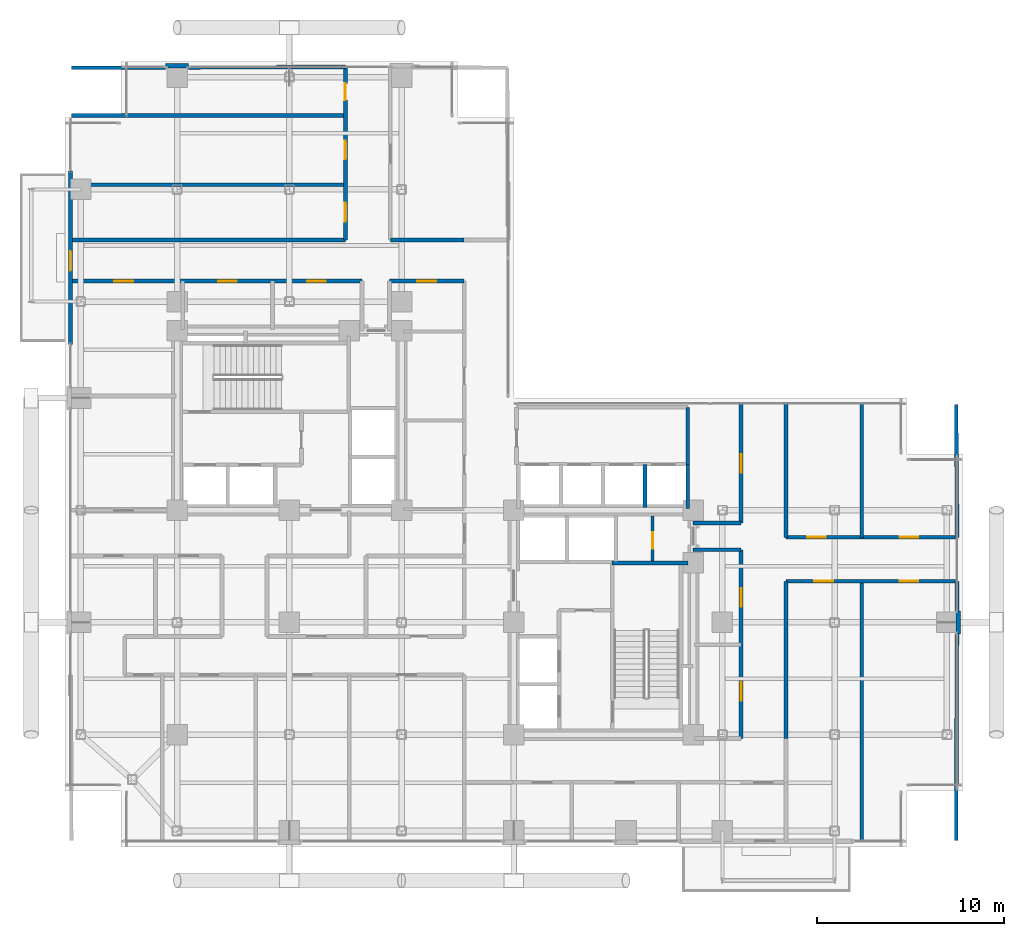
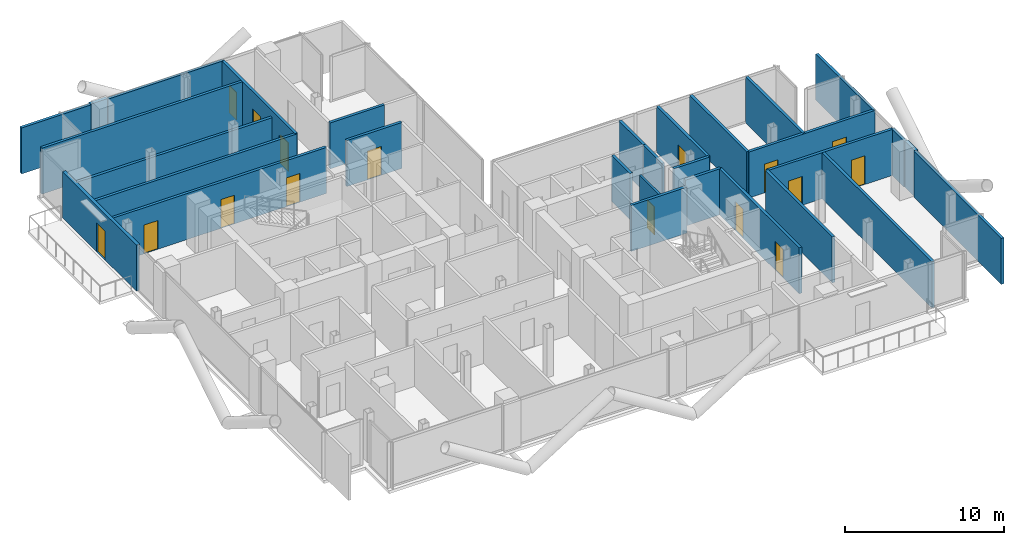
# One storey, part 24 of 28: 30 walls, 16 doors, 16 openings.
"""IFC4 building model written with IfcOpenShell, lengths in metres."""

import ifcopenshell
import ifcopenshell.guid

model = None  # the IFC model being written
_history = None  # IfcOwnerHistory: only IFC2X3 demands one
_inside = {}  # id of a spatial element -> (the spatial element, [elements in it])
_under = {}  # id of a project, library or spatial element -> (it, [spatial elements below it])
_declared = {}  # id of a project -> (the project, [libraries it declares])
_typed = {}  # id of a type object -> (the type object, [elements of that type])
_made_of = {}  # id of a material, layer set ... -> (it, [elements and type objects made of it])


def new_model(schema):
    """Start an empty IFC model of exactly this schema.

    Asked for "IFC4X3", IfcOpenShell would pick the latest addendum, in which some entities
    have other attributes; the version numbers below select the first issue.
    IFC2X3 requires an IfcOwnerHistory on every rooted entity: one is made here for all.
    """
    global model, _history
    if schema == "IFC4X3":
        model = ifcopenshell.file(schema_version=(4, 3, 0, 0))
    else:
        model = ifcopenshell.file(schema=schema)
    _inside.clear()
    _under.clear()
    _declared.clear()
    _typed.clear()
    _made_of.clear()
    _history = None
    if model.schema == "IFC2X3":
        org = make("IfcOrganization", Name="unknown")
        user = make(
            "IfcPersonAndOrganization",
            ThePerson=make("IfcPerson", FamilyName="unknown"),
            TheOrganization=org,
        )
        app = make(
            "IfcApplication",
            ApplicationDeveloper=org,
            Version="unknown",
            ApplicationFullName="unknown",
            ApplicationIdentifier="unknown",
        )
        _history = make(
            "IfcOwnerHistory",
            OwningUser=user,
            OwningApplication=app,
            ChangeAction="ADDED",
            CreationDate=0,
        )
    return model


def make(cls, **values):
    """One entity of the class cls with the attributes given. An attribute that is None is left unset."""
    return model.create_entity(
        cls, **{name: value for name, value in values.items() if value is not None}
    )


def rooted(cls, **values):
    """An entity with a GlobalId (a new one), such as an element, a storey or a relation."""
    return make(cls, GlobalId=ifcopenshell.guid.new(), OwnerHistory=_history, **values)


def si_unit(unit_type, name, prefix=None):
    """IfcSIUnit, for example si_unit("LENGTHUNIT", "METRE", prefix="MILLI")."""
    return make("IfcSIUnit", UnitType=unit_type, Prefix=prefix, Name=name)


def assignment(units):
    """IfcUnitAssignment: the units of a project."""
    return None if units is None else make("IfcUnitAssignment", Units=units)


def point(xyz):
    """IfcCartesianPoint."""
    return None if xyz is None else make("IfcCartesianPoint", Coordinates=xyz)


def direction(xyz):
    """IfcDirection."""
    return None if xyz is None else make("IfcDirection", DirectionRatios=xyz)


def frame(location, z_axis=None, x_axis=None):
    """IfcAxis2Placement3D, a coordinate frame: its origin and axes. An axis left out is left unset."""
    return make(
        "IfcAxis2Placement3D",
        Location=point(location),
        Axis=direction(z_axis),
        RefDirection=direction(x_axis),
    )


def frame_2d(location, x_axis=None):
    """IfcAxis2Placement2D, a coordinate frame in the plane: its origin and x axis."""
    return make(
        "IfcAxis2Placement2D", Location=point(location), RefDirection=direction(x_axis)
    )


def origin():
    """The frame at (0, 0, 0) with its axes left unset."""
    return frame((0.0, 0.0, 0.0))


def place(relative_to, where):
    """IfcLocalPlacement: puts the frame where relative to a parent placement (None: the world)."""
    return make(
        "IfcLocalPlacement", PlacementRelTo=relative_to, RelativePlacement=where
    )


def context(
    kind, dimensions, precision=None, world=None, true_north=None, identifier=None
):
    """IfcGeometricRepresentationContext, for example the 3D "Model" context."""
    return make(
        "IfcGeometricRepresentationContext",
        ContextIdentifier=identifier,
        ContextType=kind,
        CoordinateSpaceDimension=dimensions,
        Precision=precision,
        WorldCoordinateSystem=world,
        TrueNorth=true_north,
    )


def subcontext(parent, identifier, kind, view, scale=None):
    """IfcGeometricRepresentationSubContext, for example "Body" below "Model"."""
    return make(
        "IfcGeometricRepresentationSubContext",
        ContextIdentifier=identifier,
        ContextType=kind,
        ParentContext=parent,
        TargetScale=scale,
        TargetView=view,
    )


def project(units=None, contexts=None):
    """IfcProject with its units and contexts."""
    return rooted(
        "IfcProject",
        Name="project",
        RepresentationContexts=contexts,
        UnitsInContext=assignment(units),
    )


def spatial(cls, under=None, at=None, **own):
    """A site, building, storey or space (cls), placed at a placement, below another one or the project."""
    s = rooted(cls, ObjectPlacement=at, **own)
    if under is not None:
        _under.setdefault(under.id(), (under, []))[1].append(s)
    return s


def profile(cls, at=None, kind="AREA", **sizes):
    """A parametric profile (cls). Its sizes go by their IFC names, for example OverallWidth=200.0."""
    return make(cls, ProfileType=kind, Position=at, **sizes)


def rectangle(**sizes):
    """IfcRectangleProfileDef."""
    return profile("IfcRectangleProfileDef", **sizes)


def extrude(swept, where, along, depth):
    """IfcExtrudedAreaSolid: the profile swept, set in the frame where, extruded along a direction by depth."""
    return make(
        "IfcExtrudedAreaSolid",
        SweptArea=swept,
        Position=where,
        ExtrudedDirection=direction(along),
        Depth=depth,
    )


def shape(context_of_items, identifier, shape_type, items):
    """IfcShapeRepresentation: the items that make up one representation, for example the "Body"."""
    return make(
        "IfcShapeRepresentation",
        ContextOfItems=context_of_items,
        RepresentationIdentifier=identifier,
        RepresentationType=shape_type,
        Items=items,
    )


def material(Name=None, Category=None):
    """IfcMaterial."""
    return make("IfcMaterial", Name=Name, Category=Category)


def layer(
    of_material, thickness, ventilated=None, Name=None, Category=None, Priority=None
):
    """IfcMaterialLayer: one layer of a wall or slab, of a material (None: an air gap)."""
    return make(
        "IfcMaterialLayer",
        Material=of_material,
        LayerThickness=thickness,
        IsVentilated=ventilated,
        Name=Name,
        Category=Category,
        Priority=Priority,
    )


def layer_set(layers, Name=None):
    """IfcMaterialLayerSet."""
    return make("IfcMaterialLayerSet", MaterialLayers=layers, LayerSetName=Name)


def made_of(thing, what):
    """Note that an element or type object is made of a material, layer set ...; save() writes the relation."""
    if what is not None:
        _made_of.setdefault(what.id(), (what, []))[1].append(thing)
    return thing


def type_object(cls, material=None, **own):
    """A type object (cls), such as IfcWallType, which elements share."""
    return made_of(rooted(cls, **own), material)


def element(
    cls,
    number,
    at=None,
    inside=None,
    cuts=None,
    type_object=None,
    material=None,
    context=None,
    identifier="Body",
    shape_type=None,
    held_by="IfcProductDefinitionShape",
    body=None,
    shapes=None,
    **own,
):
    """One element of the class cls, such as IfcWall. Its Tag is "e" and its number.

    at: its placement. inside: the storey or other place that contains it. cuts: it is an
    opening in that element (IfcRelVoidsElement). A single representation is given by context,
    identifier, shape_type and body (its items); several are given by shapes. held_by: the class
    of the entity that holds the representations. save() writes the other relations.
    """
    e = rooted(cls, Tag="e%d" % number, ObjectPlacement=at, **own)
    if body is not None:
        shapes = [shape(context, identifier, shape_type, body)]
    if shapes is not None:
        e.Representation = make(held_by, Representations=shapes)
    if inside is not None:
        _inside.setdefault(inside.id(), (inside, []))[1].append(e)
    if cuts is not None:
        rooted(
            "IfcRelVoidsElement", RelatingBuildingElement=cuts, RelatedOpeningElement=e
        )
    if type_object is not None:
        _typed.setdefault(type_object.id(), (type_object, []))[1].append(e)
    return made_of(e, material)


def fill(opening, filler):
    """IfcRelFillsElement: the door or window that sits in an opening."""
    return rooted(
        "IfcRelFillsElement",
        RelatingOpeningElement=opening,
        RelatedBuildingElement=filler,
    )


def aggregate(whole, parts):
    """IfcRelAggregates: a whole, such as a stair, and the parts it consists of."""
    return rooted("IfcRelAggregates", RelatingObject=whole, RelatedObjects=parts)


def save(model, path):
    """Write the relations noted so far, then the file.

    IfcRelAggregates (storeys below a building ...), IfcRelContainedInSpatialStructure (elements
    in a storey), IfcRelDefinesByType, IfcRelAssociatesMaterial and IfcRelDeclares: one each for
    every whole, place, type object, material and project.
    """
    for whole, parts in _under.values():
        aggregate(whole, parts)
    for where, things in _inside.values():
        rooted(
            "IfcRelContainedInSpatialStructure",
            RelatedElements=things,
            RelatingStructure=where,
        )
    for kind, things in _typed.values():
        rooted("IfcRelDefinesByType", RelatedObjects=things, RelatingType=kind)
    for what, things in _made_of.values():
        rooted("IfcRelAssociatesMaterial", RelatedObjects=things, RelatingMaterial=what)
    for by, libraries in _declared.values():
        rooted("IfcRelDeclares", RelatingContext=by, RelatedDefinitions=libraries)
    model.write(path)


model = new_model("IFC4")

# Units and contexts
model_context = context("Model", 3, precision=1e-05, world=origin(), true_north=direction((0.0, 1.0)))
body_context = subcontext(model_context, "Body", "Model", "MODEL_VIEW")
ifc_project = project(units=[si_unit("LENGTHUNIT", "METRE"), si_unit("AREAUNIT", "SQUARE_METRE"), si_unit("VOLUMEUNIT", "CUBIC_METRE"), si_unit("PLANEANGLEUNIT", "RADIAN"), si_unit("MASSUNIT", "GRAM", prefix="KILO"), si_unit("THERMODYNAMICTEMPERATUREUNIT", "KELVIN"), si_unit("POWERUNIT", "WATT")], contexts=[model_context])

# Site, building, storey
site_placement = place(None, origin())
site = spatial("IfcSite", under=ifc_project, at=site_placement, CompositionType="ELEMENT")
building_placement = place(site_placement, origin())
building = spatial("IfcBuilding", under=site, at=building_placement, Name="Svarakhadi Broadcast Tower", CompositionType="ELEMENT")
storey_placement = place(building_placement, frame((0.0, 0.0, 123.14990234375)))
storey = spatial("IfcBuildingStorey", under=building, at=storey_placement, Name="L29", CompositionType="ELEMENT", Elevation=123.14990234375)

# Walls
ifc_material_1 = material(Name="Double-Stud Acoustic Studio Partition STC-62", Category="gypsum")
ifc_layer_1 = layer(ifc_material_1, 0.199951171875)
ifc_layer_set_1 = layer_set([ifc_layer_1], Name="Double-Stud Acoustic Studio Partition STC-62")
wall_type_1 = type_object("IfcWallType", Name="Wall_Acoust_200", PredefinedType="PARTITIONING", material=ifc_layer_set_1)
wall_1_placement = place(storey_placement, frame((42.60009765625, 0.300048828125, 0.0), z_axis=(0.0, 0.0, 1.0), x_axis=(0.0, 1.0, 0.0)))
element("IfcWall", 1, at=wall_1_placement, inside=storey, type_object=wall_type_1, Name="L29 Podcast Studio 1 Wall", PredefinedType="PARTITIONING", context=body_context, shape_type="SweptSolid", body=[
    extrude(rectangle(XDim=13.89990234375, YDim=0.199951171875, at=frame_2d((6.949951171875, 0.0))), origin(), (0.0, 0.0, 1.0), 3.525146484375),
])
wall_2_placement = place(storey_placement, frame((47.64990234375, 0.35009765625, 0.0), z_axis=(0.0, 0.0, 1.0), x_axis=(0.003606251025, 0.999993497456, 0.0)))
element("IfcWall", 2, at=wall_2_placement, inside=storey, type_object=wall_type_1, Name="L29 Podcast Studio 2 Wall", PredefinedType="PARTITIONING", context=body_context, shape_type="SweptSolid", body=[
    extrude(rectangle(XDim=11.034912109375, YDim=0.199951171875, at=frame_2d((5.517578125, 0.0))), origin(), (0.0, 0.0, 1.0), 3.525146484375),
])
wall_3_placement = place(storey_placement, frame((47.6943359375, 12.614990234375, 0.0), z_axis=(0.0, 0.0, 1.0), x_axis=(0.003542799701, 0.999993724265, 0.0)))
element("IfcWall", 3, at=wall_3_placement, inside=storey, type_object=wall_type_1, Name="L29 Podcast Studio 2 Wall", PredefinedType="PARTITIONING", context=body_context, shape_type="SweptSolid", body=[
    extrude(rectangle(XDim=1.5849609375, YDim=0.199951171875, at=frame_2d((0.79248046875, 0.0))), origin(), (0.0, 0.0, 1.0), 3.525146484375),
])
wall_4_placement = place(storey_placement, frame((42.60009765625, 16.550048828125, 0.0), z_axis=(0.0, 0.0, 1.0), x_axis=(0.0, 1.0, 0.0)))
element("IfcWall", 4, at=wall_4_placement, inside=storey, type_object=wall_type_1, Name="L29 Broadcast Graphics Room Wall", PredefinedType="PARTITIONING", context=body_context, shape_type="SweptSolid", body=[
    extrude(rectangle(XDim=7.14990234375, YDim=0.199951171875, at=frame_2d((3.574951171875, 0.0))), origin(), (0.0, 0.0, 1.0), 3.525146484375),
])
wall_5_placement = place(storey_placement, frame((47.699951171875, 16.550048828125, 0.0), z_axis=(0.0, 0.0, 1.0), x_axis=(-0.007049101019, 0.999975154779, 0.0)))
element("IfcWall", 5, at=wall_5_placement, inside=storey, type_object=wall_type_1, Name="L29 Graphics Workstation Office Wall", PredefinedType="PARTITIONING", context=body_context, shape_type="SweptSolid", body=[
    extrude(rectangle(XDim=7.10009765625, YDim=0.199951171875, at=frame_2d((3.550048828125, 0.0))), origin(), (0.0, 0.0, 1.0), 3.525146484375),
])
wall_6_placement = place(storey_placement, frame((0.300048828125, 35.39990234375, 0.0), z_axis=(0.0, 0.0, 1.0), x_axis=(1.0, 0.0, 0.0)))
element("IfcWall", 6, at=wall_6_placement, inside=storey, type_object=wall_type_1, Name="L29 Music Composition Studio Wall", PredefinedType="PARTITIONING", context=body_context, shape_type="SweptSolid", body=[
    extrude(rectangle(XDim=14.699951171875, YDim=0.199951171875, at=frame_2d((7.35009765625, 0.0))), origin(), (0.0, 0.0, 1.0), 3.01708984375),
])
wall_7_placement = place(storey_placement, frame((0.35009765625, 39.10009765625, 0.0), z_axis=(0.0, 0.0, 1.0), x_axis=(1.0, 0.0, 0.0)))
element("IfcWall", 7, at=wall_7_placement, inside=storey, type_object=wall_type_1, Name="L29 Sheet Music Library Office Wall", PredefinedType="PARTITIONING", context=body_context, shape_type="SweptSolid", body=[
    extrude(rectangle(XDim=14.64990234375, YDim=0.199951171875, at=frame_2d((7.324951171875, 0.0))), origin(), (0.0, 0.0, 1.0), 3.525146484375),
])
wall_8_placement = place(storey_placement, frame((0.35009765625, 41.64990234375, 0.0), z_axis=(0.0, 0.0, 1.0), x_axis=(0.999994073761, 0.003442737683, 0.0)))
element("IfcWall", 8, at=wall_8_placement, inside=storey, type_object=wall_type_1, Name="L29 Accessible Floor Toilet WC Wall", PredefinedType="PARTITIONING", context=body_context, shape_type="SweptSolid", body=[
    extrude(rectangle(XDim=5.034912109375, YDim=0.199951171875, at=frame_2d((2.517578125, 0.0))), origin(), (0.0, 0.0, 1.0), 3.525146484375),
])
wall_9_placement = place(storey_placement, frame((6.614990234375, 41.67138671875, 0.0), z_axis=(0.0, 0.0, 1.0), x_axis=(0.999994197557, 0.003406589638, 0.0)))
element("IfcWall", 9, at=wall_9_placement, inside=storey, type_object=wall_type_1, Name="L29 Accessible Floor Toilet WC Wall", PredefinedType="PARTITIONING", context=body_context, shape_type="SweptSolid", body=[
    extrude(rectangle(XDim=8.385009765625, YDim=0.199951171875, at=frame_2d((4.1923828125, 0.0))), origin(), (0.0, 0.0, 1.0), 3.525146484375),
])

# Wall, opening, door
ifc_material_2 = material(Name="Concrete C40/50 (IS 456 M50)", Category="concrete")
ifc_layer_2 = layer(ifc_material_2, 0.239990234375)
ifc_layer_set_2 = layer_set([ifc_layer_2], Name="Concrete C40/50 (IS 456 M50)")
wall_type_2 = type_object("IfcWallType", Name="Wall_Ext_240", PredefinedType="SOLIDWALL", material=ifc_layer_set_2)
wall_10_placement = place(storey_placement, frame((0.300048828125, 26.85498046875, 0.0), z_axis=(0.0, 0.0, 1.0), x_axis=(0.0, 1.0, 0.0)))
wall_10 = element("IfcWall", 10, at=wall_10_placement, inside=storey, type_object=wall_type_2, Name="L29 West Tree Balcony Spandrel Wall", PredefinedType="SOLIDWALL", context=body_context, shape_type="SweptSolid", body=[
    extrude(rectangle(XDim=9.2900390625, YDim=0.239990234375, at=frame_2d((4.64501953125, 0.0))), origin(), (0.0, 0.0, 1.0), 3.525146484375),
])
opening_1_placement = place(wall_10_placement, frame((3.945068359375, 0.0, 0.0)))
opening_1 = element("IfcOpeningElement", 11, at=opening_1_placement, cuts=wall_10, Name="Opening ED-06", PredefinedType="OPENING", context=body_context, shape_type="SweptSolid", body=[
    extrude(rectangle(XDim=1.050048828125, YDim=2.199951171875, at=frame_2d((0.52490234375, 1.10009765625))), frame((0.0, 0.1298828125, 0.0), z_axis=(0.0, -1.0, 0.0), x_axis=(1.0, 0.0, 0.0)), (0.0, 0.0, 1.0), 0.260009765625),
])
ifc_material_3 = material(Name="Anodised Bronze Aluminium AA 6063-T6", Category="aluminium")
door_type_1 = type_object("IfcDoorType", Name="Door_Ext_ED06", OperationType="SINGLE_SWING_RIGHT", PredefinedType="DOOR", material=ifc_material_3)
door_1_placement = place(opening_1_placement, origin())
door_1 = element("IfcDoor", 12, at=door_1_placement, inside=storey, type_object=door_type_1, Name="L29 West Tree Balcony Door", OperationType="SINGLE_SWING_RIGHT", OverallHeight=2.199951171875, OverallWidth=1.050048828125, PredefinedType="DOOR", context=body_context, shape_type="SweptSolid", body=[
    extrude(rectangle(XDim=1.050048828125, YDim=2.199951171875, at=frame_2d((0.52490234375, 1.10009765625))), frame((0.0, 0.02490234375, 0.0), z_axis=(0.0, -1.0, 0.0), x_axis=(1.0, 0.0, 0.0)), (0.0, 0.0, 1.0), 0.050048828125),
])
fill(opening_1, door_1)

# Walls
for number, where, z_axis, x_axis, name in (
    (13, (5.385009765625, 41.760009765625, 0.0), (0.0, 0.0, 1.0), (1.0, 0.0, 0.0), "L29 Perimeter Bronze Spandrel Closure Wall 03"),
    (14, (47.760009765625, 12.614990234375, 0.0), (0.0, 0.0, 1.0), (0.0, -1.0, 0.0), "L29 Perimeter Bronze Spandrel Closure Wall 05"),
):
    element("IfcWall", number, at=place(storey_placement, frame(where, z_axis=z_axis, x_axis=x_axis)), inside=storey, type_object=wall_type_2, Name=name, PredefinedType="SOLIDWALL", context=body_context, shape_type="SweptSolid", body=[
        extrude(rectangle(XDim=1.22998046875, YDim=0.239990234375, at=frame_2d((0.614990234375, 0.0))), origin(), (0.0, 0.0, 1.0), 3.525146484375),
    ])

# Wall, openings, doors
ifc_layer_3 = layer(ifc_material_2, 0.199951171875)
ifc_layer_set_3 = layer_set([ifc_layer_3], Name="Concrete C40/50 (IS 456 M50)")
wall_type_3 = type_object("IfcWallType", Name="Wall_Fire_200", PredefinedType="SOLIDWALL", material=ifc_layer_set_3)
wall_11_placement = place(storey_placement, frame((36.14990234375, 5.800048828125, 0.0), z_axis=(0.0, 0.0, 1.0), x_axis=(0.0, 1.0, 0.0)))
wall_11 = element("IfcWall", 15, at=wall_11_placement, inside=storey, type_object=wall_type_3, Name="L29 Zone 2/3 Corridor Wall", PredefinedType="SOLIDWALL", context=body_context, shape_type="SweptSolid", body=[
    extrude(rectangle(XDim=10.079833984375, YDim=0.199951171875, at=frame_2d((5.0400390625, 0.0))), origin(), (0.0, 0.0, 1.0), 3.525146484375),
])
opening_2_placement = place(wall_11_placement, frame((2.0, 0.0, 0.0)))
opening_2 = element("IfcOpeningElement", 16, at=opening_2_placement, cuts=wall_11, Name="Opening D-09", PredefinedType="OPENING", context=body_context, shape_type="SweptSolid", body=[
    extrude(rectangle(XDim=1.0, YDim=2.199951171875, at=frame_2d((0.5, 1.10009765625))), frame((0.0, 0.10986328125, 0.0), z_axis=(0.0, -1.0, 0.0), x_axis=(1.0, 0.0, 0.0)), (0.0, 0.0, 1.0), 0.219970703125),
])
opening_3_placement = place(wall_11_placement, frame((7.0400390625, 0.0, 0.0)))
opening_3 = element("IfcOpeningElement", 17, at=opening_3_placement, cuts=wall_11, Name="Opening D-09", PredefinedType="OPENING", context=body_context, shape_type="SweptSolid", body=[
    extrude(rectangle(XDim=1.0, YDim=2.199951171875, at=frame_2d((0.5, 1.10009765625))), frame((0.0, 0.10986328125, 0.0), z_axis=(0.0, -1.0, 0.0), x_axis=(1.0, 0.0, 0.0)), (0.0, 0.0, 1.0), 0.219970703125),
])
ifc_material_4 = material(Name="Solid-Core Teak Veneer Acoustic Timber Leaf", Category="wood")
door_type_2 = type_object("IfcDoorType", Name="Door_Suite_D09", OperationType="SINGLE_SWING_RIGHT", PredefinedType="DOOR", material=ifc_material_4)
door_2_placement = place(opening_2_placement, origin())
door_2 = element("IfcDoor", 18, at=door_2_placement, inside=storey, type_object=door_type_2, Name="L29 Media Playout Monitoring Office Door", OperationType="SINGLE_SWING_RIGHT", OverallHeight=2.199951171875, OverallWidth=1.0, PredefinedType="DOOR", context=body_context, shape_type="SweptSolid", body=[
    extrude(rectangle(XDim=1.0, YDim=2.199951171875, at=frame_2d((0.5, 1.10009765625))), frame((0.0, 0.02490234375, 0.0), z_axis=(0.0, -1.0, 0.0), x_axis=(1.0, 0.0, 0.0)), (0.0, 0.0, 1.0), 0.050048828125),
])
fill(opening_2, door_2)
door_3_placement = place(opening_3_placement, origin())
door_3 = element("IfcDoor", 19, at=door_3_placement, inside=storey, type_object=door_type_2, Name="L29 Broadcast Ingest Studio Door", OperationType="SINGLE_SWING_RIGHT", OverallHeight=2.199951171875, OverallWidth=1.0, PredefinedType="DOOR", context=body_context, shape_type="SweptSolid", body=[
    extrude(rectangle(XDim=1.0, YDim=2.199951171875, at=frame_2d((0.5, 1.10009765625))), frame((0.0, 0.02490234375, 0.0), z_axis=(0.0, -1.0, 0.0), x_axis=(1.0, 0.0, 0.0)), (0.0, 0.0, 1.0), 0.050048828125),
])
fill(opening_3, door_3)

# Walls
for number, where, z_axis, x_axis, name in (
    (20, (36.14990234375, 15.8798828125, 0.0), (0.0, 0.0, 1.0), (-1.0, 0.0, 0.0), "L29 Zone 2/3 Corridor Wall"),
    (21, (33.580078125, 17.320068359375, 0.0), (0.0, 0.0, 1.0), (1.0, 0.0, 0.0), "L29 Zone 2/3 Corridor Wall"),
):
    element("IfcWall", number, at=place(storey_placement, frame(where, z_axis=z_axis, x_axis=x_axis)), inside=storey, type_object=wall_type_3, Name=name, PredefinedType="SOLIDWALL", context=body_context, shape_type="SweptSolid", body=[
        extrude(rectangle(XDim=2.56982421875, YDim=0.199951171875, at=frame_2d((1.284912109375, 0.0))), origin(), (0.0, 0.0, 1.0), 3.525146484375),
    ])

# Wall, opening, door
wall_12_placement = place(storey_placement, frame((36.14990234375, 17.320068359375, 0.0), z_axis=(0.0, 0.0, 1.0), x_axis=(0.0, 1.0, 0.0)))
wall_12 = element("IfcWall", 22, at=wall_12_placement, inside=storey, type_object=wall_type_3, Name="L29 Zone 2/3 Corridor Wall", PredefinedType="SOLIDWALL", context=body_context, shape_type="SweptSolid", body=[
    extrude(rectangle(XDim=6.3798828125, YDim=0.199951171875, at=frame_2d((3.18994140625, 0.0))), origin(), (0.0, 0.0, 1.0), 3.525146484375),
])
opening_4_placement = place(wall_12_placement, frame((2.679931640625, 0.0, 0.0)))
opening_4 = element("IfcOpeningElement", 23, at=opening_4_placement, cuts=wall_12, Name="Opening D-09", PredefinedType="OPENING", context=body_context, shape_type="SweptSolid", body=[
    extrude(rectangle(XDim=1.0, YDim=2.199951171875, at=frame_2d((0.5, 1.10009765625))), frame((0.0, 0.10986328125, 0.0), z_axis=(0.0, -1.0, 0.0), x_axis=(1.0, 0.0, 0.0)), (0.0, 0.0, 1.0), 0.219970703125),
])
door_4_placement = place(opening_4_placement, origin())
door_4 = element("IfcDoor", 24, at=door_4_placement, inside=storey, type_object=door_type_2, Name="L29 Post-Production Coordination Office Door", OperationType="SINGLE_SWING_RIGHT", OverallHeight=2.199951171875, OverallWidth=1.0, PredefinedType="DOOR", context=body_context, shape_type="SweptSolid", body=[
    extrude(rectangle(XDim=1.0, YDim=2.199951171875, at=frame_2d((0.5, 1.10009765625))), frame((0.0, 0.02490234375, 0.0), z_axis=(0.0, -1.0, 0.0), x_axis=(1.0, 0.0, 0.0)), (0.0, 0.0, 1.0), 0.050048828125),
])
fill(opening_4, door_4)

# Wall
wall_13_placement = place(storey_placement, frame((38.550048828125, 23.699951171875, 0.0), z_axis=(0.0, 0.0, 1.0), x_axis=(0.0, -1.0, 0.0)))
element("IfcWall", 25, at=wall_13_placement, inside=storey, type_object=wall_type_3, Name="L29 Zone 2/3 Corridor Wall", PredefinedType="SOLIDWALL", context=body_context, shape_type="SweptSolid", body=[
    extrude(rectangle(XDim=7.14990234375, YDim=0.199951171875, at=frame_2d((3.574951171875, 0.0))), origin(), (0.0, 0.0, 1.0), 3.525146484375),
])

# Wall, openings, doors
wall_14_placement = place(storey_placement, frame((38.550048828125, 16.550048828125, 0.0), z_axis=(0.0, 0.0, 1.0), x_axis=(1.0, 0.0, 0.0)))
wall_14 = element("IfcWall", 26, at=wall_14_placement, inside=storey, type_object=wall_type_3, Name="L29 Zone 2/3 Corridor Wall", PredefinedType="SOLIDWALL", context=body_context, shape_type="SweptSolid", body=[
    extrude(rectangle(XDim=9.14990234375, YDim=0.199951171875, at=frame_2d((4.574951171875, 0.0))), origin(), (0.0, 0.0, 1.0), 3.525146484375),
])
opening_5_placement = place(wall_14_placement, frame((1.1298828125, 0.0, 0.0)))
opening_5 = element("IfcOpeningElement", 27, at=opening_5_placement, cuts=wall_14, Name="Opening D-08", PredefinedType="OPENING", context=body_context, shape_type="SweptSolid", body=[
    extrude(rectangle(XDim=1.0, YDim=2.199951171875, at=frame_2d((0.5, 1.10009765625))), frame((0.0, 0.10986328125, 0.0), z_axis=(0.0, -1.0, 0.0), x_axis=(1.0, 0.0, 0.0)), (0.0, 0.0, 1.0), 0.219970703125),
])
opening_6_placement = place(wall_14_placement, frame((6.074951171875, 0.0, 0.0)))
opening_6 = element("IfcOpeningElement", 28, at=opening_6_placement, cuts=wall_14, Name="Opening D-09", PredefinedType="OPENING", context=body_context, shape_type="SweptSolid", body=[
    extrude(rectangle(XDim=1.0, YDim=2.199951171875, at=frame_2d((0.5, 1.10009765625))), frame((0.0, 0.10986328125, 0.0), z_axis=(0.0, -1.0, 0.0), x_axis=(1.0, 0.0, 0.0)), (0.0, 0.0, 1.0), 0.219970703125),
])
door_type_3 = type_object("IfcDoorType", Name="Door_Suite_D08", OperationType="SINGLE_SWING_LEFT", PredefinedType="DOOR", material=ifc_material_4)
door_5_placement = place(opening_5_placement, origin())
door_5 = element("IfcDoor", 29, at=door_5_placement, inside=storey, type_object=door_type_3, Name="L29 Broadcast Graphics Room Door", OperationType="SINGLE_SWING_LEFT", OverallHeight=2.199951171875, OverallWidth=1.0, PredefinedType="DOOR", context=body_context, shape_type="SweptSolid", body=[
    extrude(rectangle(XDim=1.0, YDim=2.199951171875, at=frame_2d((0.5, 1.10009765625))), frame((0.0, 0.02490234375, 0.0), z_axis=(0.0, -1.0, 0.0), x_axis=(1.0, 0.0, 0.0)), (0.0, 0.0, 1.0), 0.050048828125),
])
fill(opening_5, door_5)
door_6_placement = place(opening_6_placement, origin())
door_6 = element("IfcDoor", 30, at=door_6_placement, inside=storey, type_object=door_type_2, Name="L29 Graphics Workstation Office Door", OperationType="SINGLE_SWING_RIGHT", OverallHeight=2.199951171875, OverallWidth=1.0, PredefinedType="DOOR", context=body_context, shape_type="SweptSolid", body=[
    extrude(rectangle(XDim=1.0, YDim=2.199951171875, at=frame_2d((0.5, 1.10009765625))), frame((0.0, 0.02490234375, 0.0), z_axis=(0.0, -1.0, 0.0), x_axis=(1.0, 0.0, 0.0)), (0.0, 0.0, 1.0), 0.050048828125),
])
fill(opening_6, door_6)

wall_15_placement = place(storey_placement, frame((47.699951171875, 14.199951171875, 0.0), z_axis=(0.0, 0.0, 1.0), x_axis=(-1.0, 0.0, 0.0)))
wall_15 = element("IfcWall", 31, at=wall_15_placement, inside=storey, type_object=wall_type_3, Name="L29 Zone 2/3 Corridor Wall", PredefinedType="SOLIDWALL", context=body_context, shape_type="SweptSolid", body=[
    extrude(rectangle(XDim=9.14990234375, YDim=0.199951171875, at=frame_2d((4.574951171875, 0.0))), origin(), (0.0, 0.0, 1.0), 3.525146484375),
])
opening_7_placement = place(wall_15_placement, frame((6.625, 0.0, 0.0)))
opening_7 = element("IfcOpeningElement", 32, at=opening_7_placement, cuts=wall_15, Name="Opening D-08", PredefinedType="OPENING", context=body_context, shape_type="SweptSolid", body=[
    extrude(rectangle(XDim=1.0, YDim=2.199951171875, at=frame_2d((0.5, 1.10009765625))), frame((0.0, 0.10986328125, 0.0), z_axis=(0.0, -1.0, 0.0), x_axis=(1.0, 0.0, 0.0)), (0.0, 0.0, 1.0), 0.219970703125),
])
opening_8_placement = place(wall_15_placement, frame((2.074951171875, 0.0, 0.0)))
opening_8 = element("IfcOpeningElement", 33, at=opening_8_placement, cuts=wall_15, Name="Opening D-09", PredefinedType="OPENING", context=body_context, shape_type="SweptSolid", body=[
    extrude(rectangle(XDim=1.0, YDim=2.199951171875, at=frame_2d((0.5, 1.10009765625))), frame((0.0, 0.10986328125, 0.0), z_axis=(0.0, -1.0, 0.0), x_axis=(1.0, 0.0, 0.0)), (0.0, 0.0, 1.0), 0.219970703125),
])
door_7_placement = place(opening_7_placement, origin())
door_7 = element("IfcDoor", 34, at=door_7_placement, inside=storey, type_object=door_type_3, Name="L29 Podcast Studio 1 Door", OperationType="SINGLE_SWING_LEFT", OverallHeight=2.199951171875, OverallWidth=1.0, PredefinedType="DOOR", context=body_context, shape_type="SweptSolid", body=[
    extrude(rectangle(XDim=1.0, YDim=2.199951171875, at=frame_2d((0.5, 1.10009765625))), frame((0.0, 0.02490234375, 0.0), z_axis=(0.0, -1.0, 0.0), x_axis=(1.0, 0.0, 0.0)), (0.0, 0.0, 1.0), 0.050048828125),
])
fill(opening_7, door_7)
door_8_placement = place(opening_8_placement, origin())
door_8 = element("IfcDoor", 35, at=door_8_placement, inside=storey, type_object=door_type_2, Name="L29 Podcast Studio 2 Door", OperationType="SINGLE_SWING_RIGHT", OverallHeight=2.199951171875, OverallWidth=1.0, PredefinedType="DOOR", context=body_context, shape_type="SweptSolid", body=[
    extrude(rectangle(XDim=1.0, YDim=2.199951171875, at=frame_2d((0.5, 1.10009765625))), frame((0.0, 0.02490234375, 0.0), z_axis=(0.0, -1.0, 0.0), x_axis=(1.0, 0.0, 0.0)), (0.0, 0.0, 1.0), 0.050048828125),
])
fill(opening_8, door_8)

# Wall
wall_16_placement = place(storey_placement, frame((38.550048828125, 14.199951171875, 0.0), z_axis=(0.0, 0.0, 1.0), x_axis=(0.0, -1.0, 0.0)))
element("IfcWall", 36, at=wall_16_placement, inside=storey, type_object=wall_type_3, Name="L29 Zone 2/3 Corridor Wall", PredefinedType="SOLIDWALL", context=body_context, shape_type="SweptSolid", body=[
    extrude(rectangle(XDim=8.39990234375, YDim=0.199951171875, at=frame_2d((4.199951171875, 0.0))), origin(), (0.0, 0.0, 1.0), 3.525146484375),
])

# Wall, opening, door
wall_17_placement = place(storey_placement, frame((21.35009765625, 30.25, 0.0), z_axis=(0.0, 0.0, 1.0), x_axis=(-1.0, 0.0, 0.0)))
wall_17 = element("IfcWall", 37, at=wall_17_placement, inside=storey, type_object=wall_type_3, Name="L29 Zone 2/3 Corridor Wall", PredefinedType="SOLIDWALL", context=body_context, shape_type="SweptSolid", body=[
    extrude(rectangle(XDim=4.0, YDim=0.199951171875, at=frame_2d((2.0, 0.0))), origin(), (0.0, 0.0, 1.0), 3.525146484375),
])
opening_9_placement = place(wall_17_placement, frame((1.5, 0.0, 0.0)))
opening_9 = element("IfcOpeningElement", 38, at=opening_9_placement, cuts=wall_17, Name="Opening D-08", PredefinedType="OPENING", context=body_context, shape_type="SweptSolid", body=[
    extrude(rectangle(XDim=1.0, YDim=2.199951171875, at=frame_2d((0.5, 1.10009765625))), frame((0.0, 0.10986328125, 0.0), z_axis=(0.0, -1.0, 0.0), x_axis=(1.0, 0.0, 0.0)), (0.0, 0.0, 1.0), 0.219970703125),
])
door_9_placement = place(opening_9_placement, origin())
door_9 = element("IfcDoor", 39, at=door_9_placement, inside=storey, type_object=door_type_3, Name="L29 Media Continuity Study Door", OperationType="SINGLE_SWING_LEFT", OverallHeight=2.199951171875, OverallWidth=1.0, PredefinedType="DOOR", context=body_context, shape_type="SweptSolid", body=[
    extrude(rectangle(XDim=1.0, YDim=2.199951171875, at=frame_2d((0.5, 1.10009765625))), frame((0.0, 0.02490234375, 0.0), z_axis=(0.0, -1.0, 0.0), x_axis=(1.0, 0.0, 0.0)), (0.0, 0.0, 1.0), 0.050048828125),
])
fill(opening_9, door_9)

# Wall, openings, doors
wall_18_placement = place(storey_placement, frame((15.8798828125, 30.25, 0.0), z_axis=(0.0, 0.0, 1.0), x_axis=(-1.0, 0.0, 0.0)))
wall_18 = element("IfcWall", 40, at=wall_18_placement, inside=storey, type_object=wall_type_3, Name="L29 Zone 2/3 Corridor Wall", PredefinedType="SOLIDWALL", context=body_context, shape_type="SweptSolid", body=[
    extrude(rectangle(XDim=15.579833984375, YDim=0.199951171875, at=frame_2d((7.7900390625, 0.0))), origin(), (0.0, 0.0, 1.0), 3.525146484375),
])
opening_10_placement = place(wall_18_placement, frame((12.22998046875, 0.0, 0.0)))
opening_10 = element("IfcOpeningElement", 41, at=opening_10_placement, cuts=wall_18, Name="Opening D-09", PredefinedType="OPENING", context=body_context, shape_type="SweptSolid", body=[
    extrude(rectangle(XDim=1.0, YDim=2.199951171875, at=frame_2d((0.5, 1.10009765625))), frame((0.0, 0.10986328125, 0.0), z_axis=(0.0, -1.0, 0.0), x_axis=(1.0, 0.0, 0.0)), (0.0, 0.0, 1.0), 0.219970703125),
])
opening_11_placement = place(wall_18_placement, frame((6.679931640625, 0.0, 0.0)))
opening_11 = element("IfcOpeningElement", 42, at=opening_11_placement, cuts=wall_18, Name="Opening D-08", PredefinedType="OPENING", context=body_context, shape_type="SweptSolid", body=[
    extrude(rectangle(XDim=1.0, YDim=2.199951171875, at=frame_2d((0.5, 1.10009765625))), frame((0.0, 0.10986328125, 0.0), z_axis=(0.0, -1.0, 0.0), x_axis=(1.0, 0.0, 0.0)), (0.0, 0.0, 1.0), 0.219970703125),
])
opening_12_placement = place(wall_18_placement, frame((1.929931640625, 0.0, 0.0)))
opening_12 = element("IfcOpeningElement", 43, at=opening_12_placement, cuts=wall_18, Name="Opening D-08", PredefinedType="OPENING", context=body_context, shape_type="SweptSolid", body=[
    extrude(rectangle(XDim=1.0, YDim=2.199951171875, at=frame_2d((0.5, 1.10009765625))), frame((0.0, 0.10986328125, 0.0), z_axis=(0.0, -1.0, 0.0), x_axis=(1.0, 0.0, 0.0)), (0.0, 0.0, 1.0), 0.219970703125),
])
door_10_placement = place(opening_11_placement, origin())
door_10 = element("IfcDoor", 44, at=door_10_placement, inside=storey, type_object=door_type_3, Name="L29 Acoustic Dubbing Booth Door", OperationType="SINGLE_SWING_LEFT", OverallHeight=2.199951171875, OverallWidth=1.0, PredefinedType="DOOR", context=body_context, shape_type="SweptSolid", body=[
    extrude(rectangle(XDim=1.0, YDim=2.199951171875, at=frame_2d((0.5, 1.10009765625))), frame((0.0, 0.02490234375, 0.0), z_axis=(0.0, -1.0, 0.0), x_axis=(1.0, 0.0, 0.0)), (0.0, 0.0, 1.0), 0.050048828125),
])
fill(opening_11, door_10)
door_11_placement = place(opening_12_placement, origin())
door_11 = element("IfcDoor", 45, at=door_11_placement, inside=storey, type_object=door_type_3, Name="L29 Editorial Color Grading Pod Door", OperationType="SINGLE_SWING_LEFT", OverallHeight=2.199951171875, OverallWidth=1.0, PredefinedType="DOOR", context=body_context, shape_type="SweptSolid", body=[
    extrude(rectangle(XDim=1.0, YDim=2.199951171875, at=frame_2d((0.5, 1.10009765625))), frame((0.0, 0.02490234375, 0.0), z_axis=(0.0, -1.0, 0.0), x_axis=(1.0, 0.0, 0.0)), (0.0, 0.0, 1.0), 0.050048828125),
])
fill(opening_12, door_11)
door_12_placement = place(opening_10_placement, origin())
door_12 = element("IfcDoor", 46, at=door_12_placement, inside=storey, type_object=door_type_2, Name="L29 Sunset Horizon Screening Room Door", OperationType="SINGLE_SWING_RIGHT", OverallHeight=2.199951171875, OverallWidth=1.0, PredefinedType="DOOR", context=body_context, shape_type="SweptSolid", body=[
    extrude(rectangle(XDim=1.0, YDim=2.199951171875, at=frame_2d((0.5, 1.10009765625))), frame((0.0, 0.02490234375, 0.0), z_axis=(0.0, -1.0, 0.0), x_axis=(1.0, 0.0, 0.0)), (0.0, 0.0, 1.0), 0.050048828125),
])
fill(opening_10, door_12)

# Wall
wall_19_placement = place(storey_placement, frame((0.300048828125, 32.449951171875, 0.0), z_axis=(0.0, 0.0, 1.0), x_axis=(1.0, 0.0, 0.0)))
element("IfcWall", 47, at=wall_19_placement, inside=storey, type_object=wall_type_3, Name="L29 Zone 2/3 Corridor Wall", PredefinedType="SOLIDWALL", context=body_context, shape_type="SweptSolid", body=[
    extrude(rectangle(XDim=14.699951171875, YDim=0.199951171875, at=frame_2d((7.35009765625, 0.0))), origin(), (0.0, 0.0, 1.0), 3.525146484375),
])

# Wall, openings, doors
wall_20_placement = place(storey_placement, frame((15.0, 32.449951171875, 0.0), z_axis=(0.0, 0.0, 1.0), x_axis=(0.0, 1.0, 0.0)))
wall_20 = element("IfcWall", 48, at=wall_20_placement, inside=storey, type_object=wall_type_3, Name="L29 Zone 2/3 Corridor Wall", PredefinedType="SOLIDWALL", context=body_context, shape_type="SweptSolid", body=[
    extrude(rectangle(XDim=9.25, YDim=0.199951171875, at=frame_2d((4.625, 0.0))), origin(), (0.0, 0.0, 1.0), 3.525146484375),
])
opening_13_placement = place(wall_20_placement, frame((0.97509765625, 0.0, 0.0)))
opening_13 = element("IfcOpeningElement", 49, at=opening_13_placement, cuts=wall_20, Name="Opening D-08", PredefinedType="OPENING", context=body_context, shape_type="SweptSolid", body=[
    extrude(rectangle(XDim=1.0, YDim=2.199951171875, at=frame_2d((0.5, 1.10009765625))), frame((0.0, 0.10986328125, 0.0), z_axis=(0.0, -1.0, 0.0), x_axis=(1.0, 0.0, 0.0)), (0.0, 0.0, 1.0), 0.219970703125),
])
opening_14_placement = place(wall_20_placement, frame((4.300048828125, 0.0, 0.0)))
opening_14 = element("IfcOpeningElement", 50, at=opening_14_placement, cuts=wall_20, Name="Opening D-09", PredefinedType="OPENING", context=body_context, shape_type="SweptSolid", body=[
    extrude(rectangle(XDim=1.0, YDim=2.199951171875, at=frame_2d((0.5, 1.10009765625))), frame((0.0, 0.10986328125, 0.0), z_axis=(0.0, -1.0, 0.0), x_axis=(1.0, 0.0, 0.0)), (0.0, 0.0, 1.0), 0.219970703125),
])
opening_15_placement = place(wall_20_placement, frame((7.47509765625, 0.0, 0.0)))
opening_15 = element("IfcOpeningElement", 51, at=opening_15_placement, cuts=wall_20, Name="Opening D-12", PredefinedType="OPENING", context=body_context, shape_type="SweptSolid", body=[
    extrude(rectangle(XDim=0.89990234375, YDim=2.10009765625, at=frame_2d((0.449951171875, 1.050048828125))), frame((0.0, 0.10986328125, 0.0), z_axis=(0.0, -1.0, 0.0), x_axis=(1.0, 0.0, 0.0)), (0.0, 0.0, 1.0), 0.219970703125),
])
door_13_placement = place(opening_13_placement, origin())
door_13 = element("IfcDoor", 52, at=door_13_placement, inside=storey, type_object=door_type_3, Name="L29 Music Composition Studio Door", OperationType="SINGLE_SWING_LEFT", OverallHeight=2.199951171875, OverallWidth=1.0, PredefinedType="DOOR", context=body_context, shape_type="SweptSolid", body=[
    extrude(rectangle(XDim=1.0, YDim=2.199951171875, at=frame_2d((0.5, 1.10009765625))), frame((0.0, 0.02490234375, 0.0), z_axis=(0.0, -1.0, 0.0), x_axis=(1.0, 0.0, 0.0)), (0.0, 0.0, 1.0), 0.050048828125),
])
fill(opening_13, door_13)
door_14_placement = place(opening_14_placement, origin())
door_14 = element("IfcDoor", 53, at=door_14_placement, inside=storey, type_object=door_type_2, Name="L29 Sheet Music Library Office Door", OperationType="SINGLE_SWING_RIGHT", OverallHeight=2.199951171875, OverallWidth=1.0, PredefinedType="DOOR", context=body_context, shape_type="SweptSolid", body=[
    extrude(rectangle(XDim=1.0, YDim=2.199951171875, at=frame_2d((0.5, 1.10009765625))), frame((0.0, 0.02490234375, 0.0), z_axis=(0.0, -1.0, 0.0), x_axis=(1.0, 0.0, 0.0)), (0.0, 0.0, 1.0), 0.050048828125),
])
fill(opening_14, door_14)
door_type_4 = type_object("IfcDoorType", Name="Door_WC_D01", OperationType="SINGLE_SWING_LEFT", PredefinedType="DOOR", material=ifc_material_4)
door_15_placement = place(opening_15_placement, origin())
door_15 = element("IfcDoor", 54, at=door_15_placement, inside=storey, type_object=door_type_4, Name="L29 Accessible Floor Toilet WC Door", OperationType="SINGLE_SWING_LEFT", OverallHeight=2.10009765625, OverallWidth=0.89990234375, PredefinedType="DOOR", context=body_context, shape_type="SweptSolid", body=[
    extrude(rectangle(XDim=0.89990234375, YDim=2.10009765625, at=frame_2d((0.449951171875, 1.050048828125))), frame((0.0, 0.02490234375, 0.0), z_axis=(0.0, -1.0, 0.0), x_axis=(1.0, 0.0, 0.0)), (0.0, 0.0, 1.0), 0.050048828125),
])
fill(opening_15, door_15)

# Wall
wall_21_placement = place(storey_placement, frame((17.39990234375, 32.449951171875, 0.0), z_axis=(0.0, 0.0, 1.0), x_axis=(1.0, 0.0, 0.0)))
element("IfcWall", 55, at=wall_21_placement, inside=storey, type_object=wall_type_3, Name="L29 Zone 2/3 Corridor Wall", PredefinedType="SOLIDWALL", context=body_context, shape_type="SweptSolid", body=[
    extrude(rectangle(XDim=3.9501953125, YDim=0.199951171875, at=frame_2d((1.97509765625, 0.0))), origin(), (0.0, 0.0, 1.0), 3.525146484375),
])

# Wall, opening, door
ifc_material_5 = material(Name="Autoclaved Aerated Concrete Blockwork 150 mm", Category="masonry")
ifc_layer_4 = layer(ifc_material_5, 0.14990234375)
ifc_layer_set_4 = layer_set([ifc_layer_4], Name="Autoclaved Aerated Concrete Blockwork 150 mm")
wall_type_4 = type_object("IfcWallType", Name="Wall_Part_150", PredefinedType="PARTITIONING", material=ifc_layer_set_4)
wall_22_placement = place(storey_placement, frame((31.419921875, 15.280029296875, 0.0), z_axis=(0.0, 0.0, 1.0), x_axis=(0.0, 1.0, 0.0)))
wall_22 = element("IfcWall", 56, at=wall_22_placement, inside=storey, type_object=wall_type_4, Name="L29 Core Service Split Wall", PredefinedType="PARTITIONING", context=body_context, shape_type="SweptSolid", body=[
    extrude(rectangle(XDim=2.419921875, YDim=0.14990234375, at=frame_2d((1.2099609375, 0.0))), origin(), (0.0, 0.0, 1.0), 3.525146484375),
])
opening_16_placement = place(wall_22_placement, frame((0.64990234375, 0.0, 0.0)))
opening_16 = element("IfcOpeningElement", 57, at=opening_16_placement, cuts=wall_22, Name="Opening D-04", PredefinedType="OPENING", context=body_context, shape_type="SweptSolid", body=[
    extrude(rectangle(XDim=0.89990234375, YDim=2.14990234375, at=frame_2d((0.449951171875, 1.074951171875))), frame((0.0, 0.0849609375, 0.0), z_axis=(0.0, -1.0, 0.0), x_axis=(1.0, 0.0, 0.0)), (0.0, 0.0, 1.0), 0.169921875),
])
ifc_material_6 = material(Name="Galvanised Powder-Coated Fire-Rated Steel Leaf", Category="steel")
door_type_5 = type_object("IfcDoorType", Name="Door_Fire_D04", OperationType="SINGLE_SWING_RIGHT", PredefinedType="DOOR", material=ifc_material_6)
door_16_placement = place(opening_16_placement, origin())
door_16 = element("IfcDoor", 58, at=door_16_placement, inside=storey, type_object=door_type_5, Name="L29 Core Inner Riser Store Door", OperationType="SINGLE_SWING_RIGHT", OverallHeight=2.14990234375, OverallWidth=0.89990234375, PredefinedType="DOOR", context=body_context, shape_type="SweptSolid", body=[
    extrude(rectangle(XDim=0.89990234375, YDim=2.14990234375, at=frame_2d((0.449951171875, 1.074951171875))), frame((0.0, 0.02490234375, 0.0), z_axis=(0.0, -1.0, 0.0), x_axis=(1.0, 0.0, 0.0)), (0.0, 0.0, 1.0), 0.050048828125),
])
fill(opening_16, door_16)

# Walls
ifc_material_7 = material(Name="Concrete C50/60 (IS 456 M60)", Category="concrete")
ifc_layer_5 = layer(ifc_material_7, 0.199951171875)
ifc_layer_set_5 = layer_set([ifc_layer_5], Name="Concrete C50/60 (IS 456 M60)")
wall_type_5 = type_object("IfcWallType", Name="Wall_Shear_200", PredefinedType="SHEAR", material=ifc_layer_set_5)
wall_23_placement = place(storey_placement, frame((29.260009765625, 15.179931640625, 0.0), z_axis=(0.0, 0.0, 1.0), x_axis=(1.0, 0.0, 0.0)))
element("IfcWall", 59, at=wall_23_placement, inside=storey, type_object=wall_type_5, Name="L29 Stair ST-02 North RC Shaft Wall", PredefinedType="SHEAR", context=body_context, shape_type="SweptSolid", body=[
    extrude(rectangle(XDim=4.0400390625, YDim=0.199951171875, at=frame_2d((2.02001953125, 0.0))), origin(), (0.0, 0.0, 1.0), 3.525146484375),
])
wall_24_placement = place(storey_placement, frame((33.300048828125, 18.10009765625, 0.0), z_axis=(0.0, 0.0, 1.0), x_axis=(0.0, 1.0, 0.0)))
element("IfcWall", 60, at=wall_24_placement, inside=storey, type_object=wall_type_5, Name="L29 Bank B East Shaft Wall", PredefinedType="SHEAR", context=body_context, shape_type="SweptSolid", body=[
    extrude(rectangle(XDim=2.349853515625, YDim=0.199951171875, at=frame_2d((1.1748046875, 0.0))), origin(), (0.0, 0.0, 1.0), 3.525146484375),
])
wall_25_placement = place(storey_placement, frame((31.02001953125, 18.14990234375, 0.0), z_axis=(0.0, 0.0, 1.0), x_axis=(0.0, 1.0, 0.0)))
element("IfcWall", 61, at=wall_25_placement, inside=storey, type_object=wall_type_5, Name="L29 Bank B Divider", PredefinedType="SHEAR", context=body_context, shape_type="SweptSolid", body=[
    extrude(rectangle(XDim=2.300048828125, YDim=0.199951171875, at=frame_2d((1.14990234375, 0.0))), origin(), (0.0, 0.0, 1.0), 3.525146484375),
])
wall_26_placement = place(storey_placement, frame((33.300048828125, 20.449951171875, 0.0), z_axis=(0.0, 0.0, 1.0), x_axis=(0.0, 1.0, 0.0)))
element("IfcWall", 62, at=wall_26_placement, inside=storey, type_object=wall_type_5, Name="L29 Bank B Lift Hall East Wall", PredefinedType="SHEAR", context=body_context, shape_type="SweptSolid", body=[
    extrude(rectangle(XDim=3.050048828125, YDim=0.199951171875, at=frame_2d((1.52490234375, 0.0))), origin(), (0.0, 0.0, 1.0), 3.525146484375),
])

save(model, "model.ifc")
